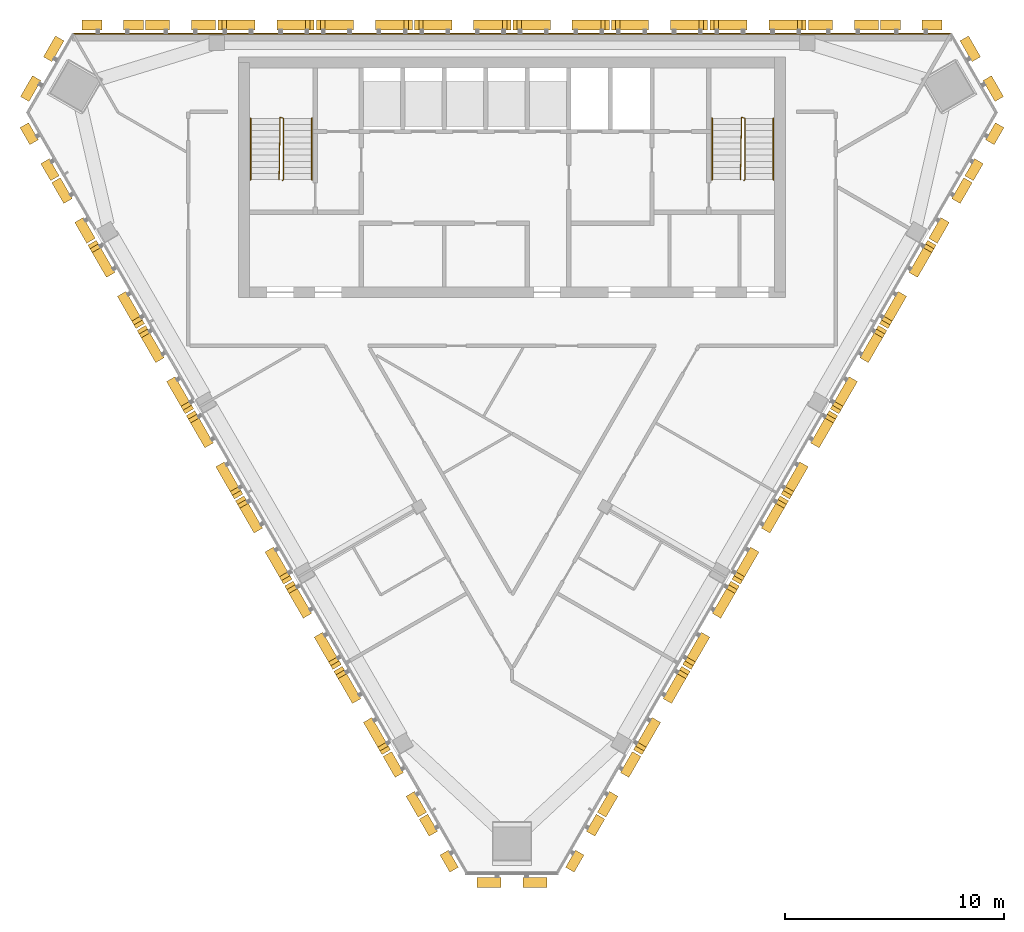
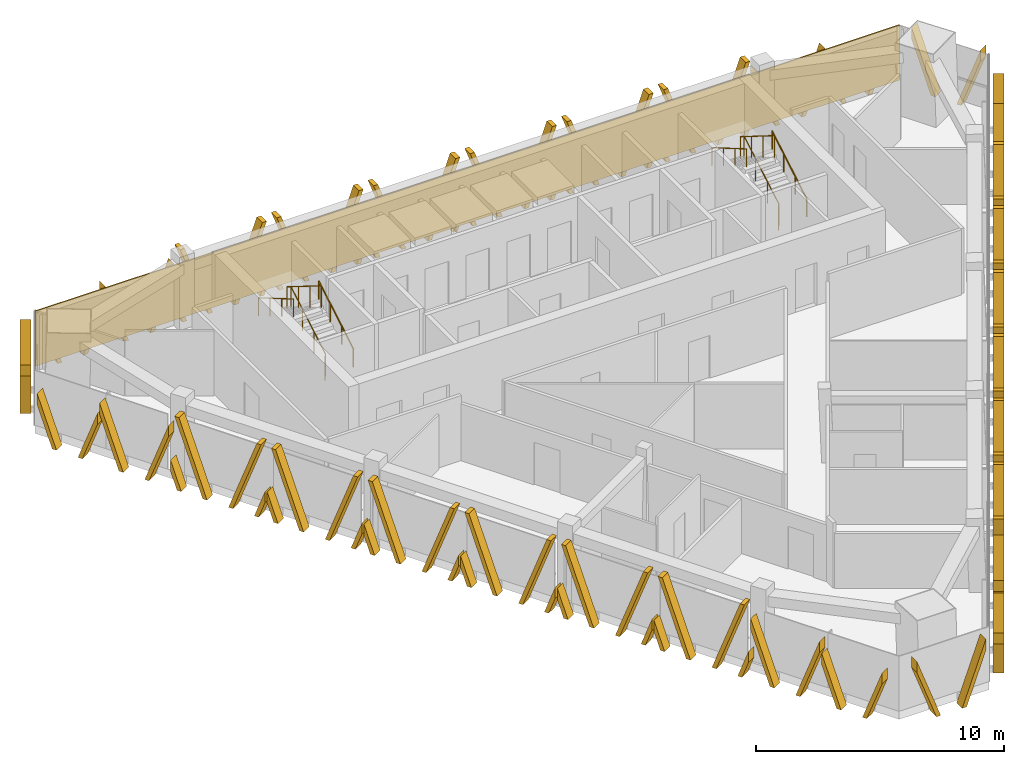
# One storey, part 11 of 12: 33 shading devices, 6 railings, 1 covering.
"""IFC4 building model written with IfcOpenShell, lengths in metres."""

from ifc_helpers import new_model, si_unit, direction, frame, frame_2d, origin, origin_2d, place, context, subcontext, project, spatial, polyline, rectangle, circle, outline, extrude, source, transform, mapped, material, layer, layer_set, type_object, element, save


model = new_model("IFC4")

# Units and contexts
model_context = context("Model", 3, precision=1e-05, world=origin(), true_north=direction((0.0, 1.0)))
body_context = subcontext(model_context, "Body", "Model", "MODEL_VIEW")
ifc_project = project(units=[si_unit("LENGTHUNIT", "METRE"), si_unit("AREAUNIT", "SQUARE_METRE"), si_unit("VOLUMEUNIT", "CUBIC_METRE"), si_unit("PLANEANGLEUNIT", "RADIAN"), si_unit("MASSUNIT", "GRAM", prefix="KILO")], contexts=[model_context])

# Site, building, storey
site_placement = place(None, origin())
site = spatial("IfcSite", under=ifc_project, at=site_placement, CompositionType="ELEMENT")
building_placement = place(site_placement, origin())
building = spatial("IfcBuilding", under=site, at=building_placement, Name="Altiplano Prism Tower", CompositionType="ELEMENT")
storey_placement = place(building_placement, frame((0.0, 0.0, 298.60009765625)))
storey = spatial("IfcBuildingStorey", under=building, at=storey_placement, Name="L77", CompositionType="ELEMENT", Elevation=298.60009765625)

# Railings
ifc_material_1 = material(Name="Steel S355", Category="steel")
railing_type_1 = type_object("IfcRailingType", Name="Stair guard 1100", PredefinedType="GUARDRAIL", material=ifc_material_1)
railing_1_placement = place(storey_placement, frame((74.5, 98.25, 0.0)))
element("IfcRailing", 1, at=railing_1_placement, inside=storey, type_object=railing_type_1, Name="L77 ST1 stair guard 1", PredefinedType="GUARDRAIL", context=body_context, shape_type="SweptSolid", body=[
    extrude(circle(Radius=0.02392578125, at=origin_2d()), frame((0.0, 0.0, 1.076171875), z_axis=(0.280808744504, 0.280808744504, 0.917765164963), x_axis=(-0.707106781187, 0.707106781187, 0.0)), (0.0, 0.0, 1.0), 0.17822265625),
    extrude(circle(Radius=0.02392578125, at=origin_2d()), frame((0.050048828125, 0.050048828125, 1.23974609375), z_axis=(0.0, 0.863393664356, 0.504530851732), x_axis=(-1.0, 0.0, 0.0)), (0.0, 0.0, 1.0), 3.2431640625),
    extrude(circle(Radius=0.02392578125, at=origin_2d()), frame((0.050048828125, 2.85009765625, 2.8759765625), z_axis=(-0.949145278916, 0.314838433982, 0.0), x_axis=(-0.314838433982, -0.949145278916, 0.0)), (0.0, 0.0, 1.0), 0.158203125),
    extrude(circle(Radius=0.02392578125, at=origin_2d()), frame((-0.10009765625, 2.89990234375, 2.8759765625), z_axis=(-0.01477401265, -0.845377694409, 0.533964682676), x_axis=(0.999847325713, -0.01747355902, 0.0)), (0.0, 0.0, 1.0), 3.37109375),
    extrude(circle(Radius=0.02099609375, at=origin_2d()), origin(), (0.0, 0.0, 1.0), 1.052001953125),
    extrude(circle(Radius=0.02099609375, at=origin_2d()), frame((0.050048828125, 0.050048828125, 0.16357421875)), (0.0, 0.0, 1.0), 1.052001953125),
    extrude(circle(Radius=0.02099609375, at=origin_2d()), frame((0.050048828125, 0.9833984375, 0.708984375)), (0.0, 0.0, 1.0), 1.052001953125),
    extrude(circle(Radius=0.02099609375, at=origin_2d()), frame((0.050048828125, 1.916748046875, 1.25439453125)), (0.0, 0.0, 1.0), 1.052001953125),
    extrude(circle(Radius=0.02099609375, at=origin_2d()), frame((0.050048828125, 2.85009765625, 1.7998046875)), (0.0, 0.0, 1.0), 1.052001953125),
    extrude(circle(Radius=0.02099609375, at=origin_2d()), frame((-0.10009765625, 2.89990234375, 1.7998046875)), (0.0, 0.0, 1.0), 1.052001953125),
    extrude(circle(Radius=0.02099609375, at=origin_2d()), frame((-0.11669921875, 1.949951171875, 2.39990234375)), (0.0, 0.0, 1.0), 1.052001953125),
    extrude(circle(Radius=0.02099609375, at=origin_2d()), frame((-0.13330078125, 1.0, 2.999755859375)), (0.0, 0.0, 1.0), 1.052001953125),
    extrude(circle(Radius=0.02099609375, at=origin_2d()), frame((-0.14990234375, 0.050048828125, 3.599853515625)), (0.0, 0.0, 1.0), 1.052001953125),
])
railing_2_placement = place(storey_placement, frame((95.60009765625, 98.25, 0.0)))
element("IfcRailing", 2, at=railing_2_placement, inside=storey, type_object=railing_type_1, Name="L77 ST2 stair guard 1", PredefinedType="GUARDRAIL", context=body_context, shape_type="SweptSolid", body=[
    extrude(circle(Radius=0.02392578125, at=origin_2d()), frame((0.0, 0.0, 1.076171875), z_axis=(0.279546231943, 0.280916556609, 0.91811752648), x_axis=(-0.708833529934, 0.705375805398, 0.0)), (0.0, 0.0, 1.0), 0.17822265625),
    extrude(circle(Radius=0.02392578125, at=origin_2d()), frame((0.0498046875, 0.050048828125, 1.23974609375), z_axis=(0.0, 0.863393664356, 0.504530851732), x_axis=(-1.0, 0.0, 0.0)), (0.0, 0.0, 1.0), 3.2431640625),
    extrude(circle(Radius=0.02392578125, at=origin_2d()), frame((0.0498046875, 2.85009765625, 2.8759765625), z_axis=(-0.948991962702, 0.315300261223, 0.0), x_axis=(-0.315300261223, -0.948991962702, 0.0)), (0.0, 0.0, 1.0), 0.157958984375),
    extrude(circle(Radius=0.02392578125, at=origin_2d()), frame((-0.10009765625, 2.89990234375, 2.8759765625), z_axis=(-0.014846418356, -0.845376787675, 0.533964109957), x_axis=(0.999845825584, -0.017559187376, 0.0)), (0.0, 0.0, 1.0), 3.37109375),
    extrude(circle(Radius=0.02099609375, at=origin_2d()), origin(), (0.0, 0.0, 1.0), 1.052001953125),
    extrude(circle(Radius=0.02099609375, at=origin_2d()), frame((0.0498046875, 0.050048828125, 0.16357421875)), (0.0, 0.0, 1.0), 1.052001953125),
    extrude(circle(Radius=0.02099609375, at=origin_2d()), frame((0.0498046875, 0.9833984375, 0.708984375)), (0.0, 0.0, 1.0), 1.052001953125),
    extrude(circle(Radius=0.02099609375, at=origin_2d()), frame((0.0498046875, 1.916748046875, 1.25439453125)), (0.0, 0.0, 1.0), 1.052001953125),
    extrude(circle(Radius=0.02099609375, at=origin_2d()), frame((0.0498046875, 2.85009765625, 1.7998046875)), (0.0, 0.0, 1.0), 1.052001953125),
    extrude(circle(Radius=0.02099609375, at=origin_2d()), frame((-0.10009765625, 2.89990234375, 1.7998046875)), (0.0, 0.0, 1.0), 1.052001953125),
    extrude(circle(Radius=0.02099609375, at=origin_2d()), frame((-0.11669921875, 1.949951171875, 2.39990234375)), (0.0, 0.0, 1.0), 1.052001953125),
    extrude(circle(Radius=0.02099609375, at=origin_2d()), frame((-0.133544921875, 1.0, 2.999755859375)), (0.0, 0.0, 1.0), 1.052001953125),
    extrude(circle(Radius=0.02099609375, at=origin_2d()), frame((-0.150146484375, 0.050048828125, 3.599853515625)), (0.0, 0.0, 1.0), 1.052001953125),
])
railing_type_2 = type_object("IfcRailingType", Name="Stair handrail 900", PredefinedType="HANDRAIL", material=ifc_material_1)
railing_3_placement = place(storey_placement, frame((75.85009765625, 98.300048828125, 0.16357421875)))
element("IfcRailing", 3, at=railing_3_placement, inside=storey, type_object=railing_type_2, Name="L77 ST1 stair handrail 1", PredefinedType="HANDRAIL", context=body_context, shape_type="SweptSolid", body=[
    extrude(circle(Radius=0.02392578125, at=origin_2d()), frame((0.0, 0.0, 0.8759765625), z_axis=(0.0, 0.863393664356, 0.504530851732), x_axis=(-1.0, 0.0, 0.0)), (0.0, 0.0, 1.0), 3.2431640625),
    extrude(circle(Radius=0.02099609375, at=origin_2d()), origin(), (0.0, 0.0, 1.0), 0.851806640625),
    extrude(circle(Radius=0.02099609375, at=origin_2d()), frame((0.0, 0.933349609375, 0.54541015625)), (0.0, 0.0, 1.0), 0.851806640625),
    extrude(circle(Radius=0.02099609375, at=origin_2d()), frame((0.0, 1.86669921875, 1.0908203125)), (0.0, 0.0, 1.0), 0.851806640625),
    extrude(circle(Radius=0.02099609375, at=origin_2d()), frame((0.0, 2.800048828125, 1.63623046875)), (0.0, 0.0, 1.0), 0.851806640625),
])
railing_4_placement = place(storey_placement, frame((73.050048828125, 101.10009765625, 1.963623046875)))
element("IfcRailing", 4, at=railing_4_placement, inside=storey, type_object=railing_type_2, Name="L77 ST1 stair handrail 2", PredefinedType="HANDRAIL", context=body_context, shape_type="SweptSolid", body=[
    extrude(circle(Radius=0.02392578125, at=origin_2d()), frame((0.0, 0.0, 0.8759765625), z_axis=(0.0, -0.863393664356, 0.504530851732), x_axis=(1.0, 0.0, 0.0)), (0.0, 0.0, 1.0), 3.2431640625),
    extrude(circle(Radius=0.02099609375, at=origin_2d()), origin(), (0.0, 0.0, 1.0), 0.851806640625),
    extrude(circle(Radius=0.02099609375, at=origin_2d()), frame((0.0, -0.933349609375, 0.54541015625)), (0.0, 0.0, 1.0), 0.851806640625),
    extrude(circle(Radius=0.02099609375, at=origin_2d()), frame((0.0, -1.86669921875, 1.0908203125)), (0.0, 0.0, 1.0), 0.851806640625),
    extrude(circle(Radius=0.02099609375, at=origin_2d()), frame((0.0, -2.800048828125, 1.63623046875)), (0.0, 0.0, 1.0), 0.851806640625),
])
railing_5_placement = place(storey_placement, frame((96.949951171875, 98.300048828125, 0.16357421875)))
element("IfcRailing", 5, at=railing_5_placement, inside=storey, type_object=railing_type_2, Name="L77 ST2 stair handrail 1", PredefinedType="HANDRAIL", context=body_context, shape_type="SweptSolid", body=[
    extrude(circle(Radius=0.02392578125, at=origin_2d()), frame((0.0, 0.0, 0.8759765625), z_axis=(0.0, 0.863393664356, 0.504530851732), x_axis=(-1.0, 0.0, 0.0)), (0.0, 0.0, 1.0), 3.2431640625),
    extrude(circle(Radius=0.02099609375, at=origin_2d()), origin(), (0.0, 0.0, 1.0), 0.851806640625),
    extrude(circle(Radius=0.02099609375, at=origin_2d()), frame((0.0, 0.933349609375, 0.54541015625)), (0.0, 0.0, 1.0), 0.851806640625),
    extrude(circle(Radius=0.02099609375, at=origin_2d()), frame((0.0, 1.86669921875, 1.0908203125)), (0.0, 0.0, 1.0), 0.851806640625),
    extrude(circle(Radius=0.02099609375, at=origin_2d()), frame((0.0, 2.800048828125, 1.63623046875)), (0.0, 0.0, 1.0), 0.851806640625),
])
railing_6_placement = place(storey_placement, frame((94.14990234375, 101.10009765625, 1.963623046875)))
element("IfcRailing", 6, at=railing_6_placement, inside=storey, type_object=railing_type_2, Name="L77 ST2 stair handrail 2", PredefinedType="HANDRAIL", context=body_context, shape_type="SweptSolid", body=[
    extrude(circle(Radius=0.02392578125, at=origin_2d()), frame((0.0, 0.0, 0.8759765625), z_axis=(0.0, -0.863393664356, 0.504530851732), x_axis=(1.0, 0.0, 0.0)), (0.0, 0.0, 1.0), 3.2431640625),
    extrude(circle(Radius=0.02099609375, at=origin_2d()), origin(), (0.0, 0.0, 1.0), 0.851806640625),
    extrude(circle(Radius=0.02099609375, at=origin_2d()), frame((0.0, -0.933349609375, 0.54541015625)), (0.0, 0.0, 1.0), 0.851806640625),
    extrude(circle(Radius=0.02099609375, at=origin_2d()), frame((0.0, -1.86669921875, 1.0908203125)), (0.0, 0.0, 1.0), 0.851806640625),
    extrude(circle(Radius=0.02099609375, at=origin_2d()), frame((0.0, -2.800048828125, 1.63623046875)), (0.0, 0.0, 1.0), 0.851806640625),
])

# Covering
ifc_material_2 = material(Name="Warm limestone cast stone", Category="masonry")
ifc_layer = layer(ifc_material_2, 0.06005859375)
ifc_layer_set = layer_set([ifc_layer], Name="Warm limestone cast stone")
covering_type = type_object("IfcCoveringType", Name="Stone cladding 60", PredefinedType="CLADDING", material=ifc_layer_set)
covering_placement = place(storey_placement, frame((64.889404296875, 104.969970703125, 0.0), z_axis=(0.0, 0.0, 1.0), x_axis=(1.0, 0.0, 0.0)))
element("IfcCovering", 7, at=covering_placement, inside=storey, type_object=covering_type, Name="Stone cladding north face L77", PredefinedType="CLADDING", context=body_context, shape_type="SweptSolid", body=[
    extrude(rectangle(XDim=40.22119140625, YDim=0.06005859375, at=frame_2d((20.110595703125, 0.0))), origin(), (0.0, 0.0, 1.0), 2.699951171875),
])

# Shading devices
shading_device_type_1 = type_object("IfcShadingDeviceType", Name="Stone fin panel, narrow closing bay", PredefinedType="USERDEFINED", material=ifc_material_2)
shared_shape_1 = source(origin(), body_context, "Body", "SweptSolid", [
    extrude(outline(polyline([(-1.60009765625, 3.022216796875), (-1.60009765625, 2.47265625), (-0.699951171875, 0.0), (-0.5, 0.0), (-1.60009765625, 3.022216796875)])), frame((0.0, -0.14990234375, 0.0), z_axis=(0.0, -1.0, 0.0), x_axis=(1.0, 0.0, 0.0)), (0.0, 0.0, 1.0), 0.4501953125),
    extrude(outline(polyline([(1.60009765625, 2.47265625), (1.60009765625, 3.022216796875), (0.5, 0.0), (0.699951171875, 0.0), (1.60009765625, 2.47265625)])), frame((0.0, -0.14990234375, 0.0), z_axis=(0.0, -1.0, 0.0), x_axis=(1.0, 0.0, 0.0)), (0.0, 0.0, 1.0), 0.4501953125),
])
shading_device_1_placement = place(storey_placement, origin())
element("IfcShadingDevice", 8, at=shading_device_1_placement, inside=storey, type_object=shading_device_type_1, Name="Fin L77 north face 2", ObjectType="FIN", PredefinedType="USERDEFINED", context=body_context, shape_type="MappedRepresentation", body=[
    mapped(shared_shape_1, transform((100.152587890625, 105.0, -0.400146484375), x_axis=(-1.0, 0.0, 0.0), y_axis=(0.0, -1.0, 0.0), z_axis=(0.0, 0.0, 1.0))),
])
shading_device_2_placement = place(storey_placement, origin())
element("IfcShadingDevice", 9, at=shading_device_2_placement, inside=storey, type_object=shading_device_type_1, Name="Fin L77 north face 9", ObjectType="FIN", PredefinedType="USERDEFINED", context=body_context, shape_type="MappedRepresentation", body=[
    mapped(shared_shape_1, transform((69.847412109375, 105.0, -0.400146484375), x_axis=(-1.0, 0.0, 0.0), y_axis=(0.0, -1.0, 0.0), z_axis=(0.0, 0.0, 1.0))),
])
shading_device_type_2 = type_object("IfcShadingDeviceType", Name="Stone fin panel, chamfer unit", PredefinedType="USERDEFINED", material=ifc_material_2)
shading_device_3_placement = place(storey_placement, origin())
element("IfcShadingDevice", 10, at=shading_device_3_placement, inside=storey, type_object=shading_device_type_2, Name="Fin L77 north-west chamfer 1", ObjectType="FIN", PredefinedType="USERDEFINED", context=body_context, shape_type="MappedRepresentation", body=[
    mapped(shared_shape_1, transform((63.84130859375, 103.184326171875, -0.400146484375), x_axis=(-0.500000072093, -0.866025362161, 0.0), y_axis=(0.866025362161, -0.500000072093, 0.0), z_axis=(0.0, 0.0, 1.0))),
])
shading_device_4_placement = place(storey_placement, origin())
element("IfcShadingDevice", 11, at=shading_device_4_placement, inside=storey, type_object=shading_device_type_1, Name="Fin L77 south-west face 2", ObjectType="FIN", PredefinedType="USERDEFINED", context=body_context, shape_type="MappedRepresentation", body=[
    mapped(shared_shape_1, transform((65.27197265625, 97.0751953125, -0.400146484375), x_axis=(0.499999992925, -0.866025407869, 0.0), y_axis=(0.866025407869, 0.499999992925, 0.0), z_axis=(0.0, 0.0, 1.0))),
])
shading_device_5_placement = place(storey_placement, origin())
element("IfcShadingDevice", 12, at=shading_device_5_placement, inside=storey, type_object=shading_device_type_1, Name="Fin L77 south-west face 9", ObjectType="FIN", PredefinedType="USERDEFINED", context=body_context, shape_type="MappedRepresentation", body=[
    mapped(shared_shape_1, transform((80.424560546875, 70.830078125, -0.400146484375), x_axis=(0.499999992925, -0.866025407869, 0.0), y_axis=(0.866025407869, 0.499999992925, 0.0), z_axis=(0.0, 0.0, 1.0))),
])
shading_device_6_placement = place(storey_placement, origin())
element("IfcShadingDevice", 13, at=shading_device_6_placement, inside=storey, type_object=shading_device_type_2, Name="Fin L77 south chamfer 1", ObjectType="FIN", PredefinedType="USERDEFINED", context=body_context, shape_type="MappedRepresentation", body=[
    mapped(shared_shape_1, transform((85.0, 66.536376953125, -0.400146484375), x_axis=(1.0, 0.0, 0.0), y_axis=(0.0, 1.0, 0.0), z_axis=(0.0, 0.0, 1.0))),
])
shading_device_7_placement = place(storey_placement, origin())
element("IfcShadingDevice", 14, at=shading_device_7_placement, inside=storey, type_object=shading_device_type_1, Name="Fin L77 south-east face 2", ObjectType="FIN", PredefinedType="USERDEFINED", context=body_context, shape_type="MappedRepresentation", body=[
    mapped(shared_shape_1, transform((89.575439453125, 70.830078125, -0.400146484375), x_axis=(0.499999992925, 0.866025407869, 0.0), y_axis=(-0.866025407869, 0.499999992925, 0.0), z_axis=(0.0, 0.0, 1.0))),
])
shading_device_8_placement = place(storey_placement, origin())
element("IfcShadingDevice", 15, at=shading_device_8_placement, inside=storey, type_object=shading_device_type_1, Name="Fin L77 south-east face 9", ObjectType="FIN", PredefinedType="USERDEFINED", context=body_context, shape_type="MappedRepresentation", body=[
    mapped(shared_shape_1, transform((104.72802734375, 97.0751953125, -0.400146484375), x_axis=(0.499999992925, 0.866025407869, 0.0), y_axis=(-0.866025407869, 0.499999992925, 0.0), z_axis=(0.0, 0.0, 1.0))),
])
shading_device_9_placement = place(storey_placement, origin())
element("IfcShadingDevice", 16, at=shading_device_9_placement, inside=storey, type_object=shading_device_type_2, Name="Fin L77 north-east chamfer 1", ObjectType="FIN", PredefinedType="USERDEFINED", context=body_context, shape_type="MappedRepresentation", body=[
    mapped(shared_shape_1, transform((106.15869140625, 103.184326171875, -0.400146484375), x_axis=(-0.500000072093, 0.866025362161, 0.0), y_axis=(-0.866025362161, -0.500000072093, 0.0), z_axis=(0.0, 0.0, 1.0))),
])
shading_device_type_3 = type_object("IfcShadingDeviceType", Name="Stone fin panel, standard unit", PredefinedType="USERDEFINED", material=ifc_material_2)
shared_shape_2 = source(origin(), body_context, "Body", "SweptSolid", [
    extrude(outline(polyline([(-2.199951171875, 1.373779296875), (-2.199951171875, 0.82421875), (-1.89990234375, 0.0), (-1.699951171875, 0.0), (-2.199951171875, 1.373779296875)])), frame((0.0, -0.14990234375, 0.0), z_axis=(0.0, -1.0, 0.0), x_axis=(1.0, 0.0, 0.0)), (0.0, 0.0, 1.0), 0.4501953125),
    extrude(outline(polyline([(-2.01025390625, 3.60009765625), (-0.699951171875, 0.0), (-0.5, 0.0), (-1.810302734375, 3.60009765625), (-2.01025390625, 3.60009765625)])), frame((0.0, -0.14990234375, 0.0), z_axis=(0.0, -1.0, 0.0), x_axis=(1.0, 0.0, 0.0)), (0.0, 0.0, 1.0), 0.4501953125),
    extrude(outline(polyline([(1.810302734375, 3.60009765625), (0.5, 0.0), (0.699951171875, 0.0), (2.01025390625, 3.60009765625), (1.810302734375, 3.60009765625)])), frame((0.0, -0.14990234375, 0.0), z_axis=(0.0, -1.0, 0.0), x_axis=(1.0, 0.0, 0.0)), (0.0, 0.0, 1.0), 0.4501953125),
    extrude(outline(polyline([(2.199951171875, 0.82421875), (2.199951171875, 1.373779296875), (1.699951171875, 0.0), (1.89990234375, 0.0), (2.199951171875, 0.82421875)])), frame((0.0, -0.14990234375, 0.0), z_axis=(0.0, -1.0, 0.0), x_axis=(1.0, 0.0, 0.0)), (0.0, 0.0, 1.0), 0.4501953125),
])
shading_device_10_placement = place(storey_placement, origin())
element("IfcShadingDevice", 17, at=shading_device_10_placement, inside=storey, type_object=shading_device_type_3, Name="Fin L77 north face 3", ObjectType="FIN", PredefinedType="USERDEFINED", context=body_context, shape_type="MappedRepresentation", body=[
    mapped(shared_shape_2, transform((96.25, 105.0, -0.400146484375), x_axis=(-1.0, 0.0, 0.0), y_axis=(0.0, -1.0, 0.0), z_axis=(0.0, 0.0, 1.0))),
])
shading_device_11_placement = place(storey_placement, origin())
element("IfcShadingDevice", 18, at=shading_device_11_placement, inside=storey, type_object=shading_device_type_3, Name="Fin L77 north face 4", ObjectType="FIN", PredefinedType="USERDEFINED", context=body_context, shape_type="MappedRepresentation", body=[
    mapped(shared_shape_2, transform((91.75, 105.0, -0.400146484375), x_axis=(-1.0, 0.0, 0.0), y_axis=(0.0, -1.0, 0.0), z_axis=(0.0, 0.0, 1.0))),
])
shading_device_12_placement = place(storey_placement, origin())
element("IfcShadingDevice", 19, at=shading_device_12_placement, inside=storey, type_object=shading_device_type_3, Name="Fin L77 north face 5", ObjectType="FIN", PredefinedType="USERDEFINED", context=body_context, shape_type="MappedRepresentation", body=[
    mapped(shared_shape_2, transform((87.25, 105.0, -0.400146484375), x_axis=(-1.0, 0.0, 0.0), y_axis=(0.0, -1.0, 0.0), z_axis=(0.0, 0.0, 1.0))),
])
shading_device_13_placement = place(storey_placement, origin())
element("IfcShadingDevice", 20, at=shading_device_13_placement, inside=storey, type_object=shading_device_type_3, Name="Fin L77 north face 6", ObjectType="FIN", PredefinedType="USERDEFINED", context=body_context, shape_type="MappedRepresentation", body=[
    mapped(shared_shape_2, transform((82.75, 105.0, -0.400146484375), x_axis=(-1.0, 0.0, 0.0), y_axis=(0.0, -1.0, 0.0), z_axis=(0.0, 0.0, 1.0))),
])
shading_device_14_placement = place(storey_placement, origin())
element("IfcShadingDevice", 21, at=shading_device_14_placement, inside=storey, type_object=shading_device_type_3, Name="Fin L77 north face 7", ObjectType="FIN", PredefinedType="USERDEFINED", context=body_context, shape_type="MappedRepresentation", body=[
    mapped(shared_shape_2, transform((78.25, 105.0, -0.400146484375), x_axis=(-1.0, 0.0, 0.0), y_axis=(0.0, -1.0, 0.0), z_axis=(0.0, 0.0, 1.0))),
])
shading_device_15_placement = place(storey_placement, origin())
element("IfcShadingDevice", 22, at=shading_device_15_placement, inside=storey, type_object=shading_device_type_3, Name="Fin L77 north face 8", ObjectType="FIN", PredefinedType="USERDEFINED", context=body_context, shape_type="MappedRepresentation", body=[
    mapped(shared_shape_2, transform((73.75, 105.0, -0.400146484375), x_axis=(-1.0, 0.0, 0.0), y_axis=(0.0, -1.0, 0.0), z_axis=(0.0, 0.0, 1.0))),
])
shading_device_16_placement = place(storey_placement, origin())
element("IfcShadingDevice", 23, at=shading_device_16_placement, inside=storey, type_object=shading_device_type_3, Name="Fin L77 south-west face 3", ObjectType="FIN", PredefinedType="USERDEFINED", context=body_context, shape_type="MappedRepresentation", body=[
    mapped(shared_shape_2, transform((67.22314453125, 93.6953125, -0.400146484375), x_axis=(0.499999992925, -0.866025407869, 0.0), y_axis=(0.866025407869, 0.499999992925, 0.0), z_axis=(0.0, 0.0, 1.0))),
])
shading_device_17_placement = place(storey_placement, origin())
element("IfcShadingDevice", 24, at=shading_device_17_placement, inside=storey, type_object=shading_device_type_3, Name="Fin L77 south-west face 4", ObjectType="FIN", PredefinedType="USERDEFINED", context=body_context, shape_type="MappedRepresentation", body=[
    mapped(shared_shape_2, transform((69.47314453125, 89.798095703125, -0.400146484375), x_axis=(0.499999992925, -0.866025407869, 0.0), y_axis=(0.866025407869, 0.499999992925, 0.0), z_axis=(0.0, 0.0, 1.0))),
])
shading_device_18_placement = place(storey_placement, origin())
element("IfcShadingDevice", 25, at=shading_device_18_placement, inside=storey, type_object=shading_device_type_3, Name="Fin L77 south-west face 5", ObjectType="FIN", PredefinedType="USERDEFINED", context=body_context, shape_type="MappedRepresentation", body=[
    mapped(shared_shape_2, transform((71.72314453125, 85.901123046875, -0.400146484375), x_axis=(0.499999992925, -0.866025407869, 0.0), y_axis=(0.866025407869, 0.499999992925, 0.0), z_axis=(0.0, 0.0, 1.0))),
])
shading_device_19_placement = place(storey_placement, origin())
element("IfcShadingDevice", 26, at=shading_device_19_placement, inside=storey, type_object=shading_device_type_3, Name="Fin L77 south-west face 6", ObjectType="FIN", PredefinedType="USERDEFINED", context=body_context, shape_type="MappedRepresentation", body=[
    mapped(shared_shape_2, transform((73.97314453125, 82.00390625, -0.400146484375), x_axis=(0.499999992925, -0.866025407869, 0.0), y_axis=(0.866025407869, 0.499999992925, 0.0), z_axis=(0.0, 0.0, 1.0))),
])
shading_device_20_placement = place(storey_placement, origin())
element("IfcShadingDevice", 27, at=shading_device_20_placement, inside=storey, type_object=shading_device_type_3, Name="Fin L77 south-west face 7", ObjectType="FIN", PredefinedType="USERDEFINED", context=body_context, shape_type="MappedRepresentation", body=[
    mapped(shared_shape_2, transform((76.22314453125, 78.10693359375, -0.400146484375), x_axis=(0.499999992925, -0.866025407869, 0.0), y_axis=(0.866025407869, 0.499999992925, 0.0), z_axis=(0.0, 0.0, 1.0))),
])
shading_device_21_placement = place(storey_placement, origin())
element("IfcShadingDevice", 28, at=shading_device_21_placement, inside=storey, type_object=shading_device_type_3, Name="Fin L77 south-west face 8", ObjectType="FIN", PredefinedType="USERDEFINED", context=body_context, shape_type="MappedRepresentation", body=[
    mapped(shared_shape_2, transform((78.47314453125, 74.209716796875, -0.400146484375), x_axis=(0.499999992925, -0.866025407869, 0.0), y_axis=(0.866025407869, 0.499999992925, 0.0), z_axis=(0.0, 0.0, 1.0))),
])
shading_device_22_placement = place(storey_placement, origin())
element("IfcShadingDevice", 29, at=shading_device_22_placement, inside=storey, type_object=shading_device_type_3, Name="Fin L77 south-east face 3", ObjectType="FIN", PredefinedType="USERDEFINED", context=body_context, shape_type="MappedRepresentation", body=[
    mapped(shared_shape_2, transform((91.52685546875, 74.209716796875, -0.400146484375), x_axis=(0.499999992925, 0.866025407869, 0.0), y_axis=(-0.866025407869, 0.499999992925, 0.0), z_axis=(0.0, 0.0, 1.0))),
])
shading_device_23_placement = place(storey_placement, origin())
element("IfcShadingDevice", 30, at=shading_device_23_placement, inside=storey, type_object=shading_device_type_3, Name="Fin L77 south-east face 4", ObjectType="FIN", PredefinedType="USERDEFINED", context=body_context, shape_type="MappedRepresentation", body=[
    mapped(shared_shape_2, transform((93.77685546875, 78.10693359375, -0.400146484375), x_axis=(0.499999992925, 0.866025407869, 0.0), y_axis=(-0.866025407869, 0.499999992925, 0.0), z_axis=(0.0, 0.0, 1.0))),
])
shading_device_24_placement = place(storey_placement, origin())
element("IfcShadingDevice", 31, at=shading_device_24_placement, inside=storey, type_object=shading_device_type_3, Name="Fin L77 south-east face 5", ObjectType="FIN", PredefinedType="USERDEFINED", context=body_context, shape_type="MappedRepresentation", body=[
    mapped(shared_shape_2, transform((96.02685546875, 82.00390625, -0.400146484375), x_axis=(0.499999992925, 0.866025407869, 0.0), y_axis=(-0.866025407869, 0.499999992925, 0.0), z_axis=(0.0, 0.0, 1.0))),
])
shading_device_25_placement = place(storey_placement, origin())
element("IfcShadingDevice", 32, at=shading_device_25_placement, inside=storey, type_object=shading_device_type_3, Name="Fin L77 south-east face 6", ObjectType="FIN", PredefinedType="USERDEFINED", context=body_context, shape_type="MappedRepresentation", body=[
    mapped(shared_shape_2, transform((98.27685546875, 85.901123046875, -0.400146484375), x_axis=(0.499999992925, 0.866025407869, 0.0), y_axis=(-0.866025407869, 0.499999992925, 0.0), z_axis=(0.0, 0.0, 1.0))),
])
shading_device_26_placement = place(storey_placement, origin())
element("IfcShadingDevice", 33, at=shading_device_26_placement, inside=storey, type_object=shading_device_type_3, Name="Fin L77 south-east face 7", ObjectType="FIN", PredefinedType="USERDEFINED", context=body_context, shape_type="MappedRepresentation", body=[
    mapped(shared_shape_2, transform((100.52685546875, 89.798095703125, -0.400146484375), x_axis=(0.499999992925, 0.866025407869, 0.0), y_axis=(-0.866025407869, 0.499999992925, 0.0), z_axis=(0.0, 0.0, 1.0))),
])
shading_device_27_placement = place(storey_placement, origin())
element("IfcShadingDevice", 34, at=shading_device_27_placement, inside=storey, type_object=shading_device_type_3, Name="Fin L77 south-east face 8", ObjectType="FIN", PredefinedType="USERDEFINED", context=body_context, shape_type="MappedRepresentation", body=[
    mapped(shared_shape_2, transform((102.77685546875, 93.6953125, -0.400146484375), x_axis=(0.499999992925, 0.866025407869, 0.0), y_axis=(-0.866025407869, 0.499999992925, 0.0), z_axis=(0.0, 0.0, 1.0))),
])
shared_shape_3 = source(origin(), body_context, "Body", "SweptSolid", [
    extrude(outline(polyline([(-1.39990234375, 2.47265625), (-1.39990234375, 1.923095703125), (-0.699951171875, 0.0), (-0.5, 0.0), (-1.39990234375, 2.47265625)])), frame((0.0, -0.14990234375, 0.0), z_axis=(0.0, -1.0, 0.0), x_axis=(1.0, 0.0, 0.0)), (0.0, 0.0, 1.0), 0.4501953125),
    extrude(outline(polyline([(1.39990234375, 1.923095703125), (1.39990234375, 2.47265625), (0.5, 0.0), (0.699951171875, 0.0), (1.39990234375, 1.923095703125)])), frame((0.0, -0.14990234375, 0.0), z_axis=(0.0, -1.0, 0.0), x_axis=(1.0, 0.0, 0.0)), (0.0, 0.0, 1.0), 0.4501953125),
])
shading_device_28_placement = place(storey_placement, origin())
element("IfcShadingDevice", 35, at=shading_device_28_placement, inside=storey, type_object=shading_device_type_1, Name="Fin L77 north face 1", ObjectType="FIN", PredefinedType="USERDEFINED", context=body_context, shape_type="MappedRepresentation", body=[
    mapped(shared_shape_3, transform((103.2578125, 105.0, -0.400146484375), x_axis=(-1.0, 0.0, 0.0), y_axis=(0.0, -1.0, 0.0), z_axis=(0.0, 0.0, 1.0))),
])
shading_device_29_placement = place(storey_placement, origin())
element("IfcShadingDevice", 36, at=shading_device_29_placement, inside=storey, type_object=shading_device_type_1, Name="Fin L77 north face 10", ObjectType="FIN", PredefinedType="USERDEFINED", context=body_context, shape_type="MappedRepresentation", body=[
    mapped(shared_shape_3, transform((66.7421875, 105.0, -0.400146484375), x_axis=(-1.0, 0.0, 0.0), y_axis=(0.0, -1.0, 0.0), z_axis=(0.0, 0.0, 1.0))),
])
shading_device_30_placement = place(storey_placement, origin())
element("IfcShadingDevice", 37, at=shading_device_30_placement, inside=storey, type_object=shading_device_type_1, Name="Fin L77 south-west face 1", ObjectType="FIN", PredefinedType="USERDEFINED", context=body_context, shape_type="MappedRepresentation", body=[
    mapped(shared_shape_3, transform((63.71923828125, 99.764404296875, -0.400146484375), x_axis=(0.499999992925, -0.866025407869, 0.0), y_axis=(0.866025407869, 0.499999992925, 0.0), z_axis=(0.0, 0.0, 1.0))),
])
shading_device_31_placement = place(storey_placement, origin())
element("IfcShadingDevice", 38, at=shading_device_31_placement, inside=storey, type_object=shading_device_type_1, Name="Fin L77 south-west face 10", ObjectType="FIN", PredefinedType="USERDEFINED", context=body_context, shape_type="MappedRepresentation", body=[
    mapped(shared_shape_3, transform((81.97705078125, 68.140869140625, -0.400146484375), x_axis=(0.499999992925, -0.866025407869, 0.0), y_axis=(0.866025407869, 0.499999992925, 0.0), z_axis=(0.0, 0.0, 1.0))),
])
shading_device_32_placement = place(storey_placement, origin())
element("IfcShadingDevice", 39, at=shading_device_32_placement, inside=storey, type_object=shading_device_type_1, Name="Fin L77 south-east face 1", ObjectType="FIN", PredefinedType="USERDEFINED", context=body_context, shape_type="MappedRepresentation", body=[
    mapped(shared_shape_3, transform((88.02294921875, 68.140869140625, -0.400146484375), x_axis=(0.499999992925, 0.866025407869, 0.0), y_axis=(-0.866025407869, 0.499999992925, 0.0), z_axis=(0.0, 0.0, 1.0))),
])
shading_device_33_placement = place(storey_placement, origin())
element("IfcShadingDevice", 40, at=shading_device_33_placement, inside=storey, type_object=shading_device_type_1, Name="Fin L77 south-east face 10", ObjectType="FIN", PredefinedType="USERDEFINED", context=body_context, shape_type="MappedRepresentation", body=[
    mapped(shared_shape_3, transform((106.28076171875, 99.764404296875, -0.400146484375), x_axis=(0.499999992925, 0.866025407869, 0.0), y_axis=(-0.866025407869, 0.499999992925, 0.0), z_axis=(0.0, 0.0, 1.0))),
])

save(model, "model.ifc")
